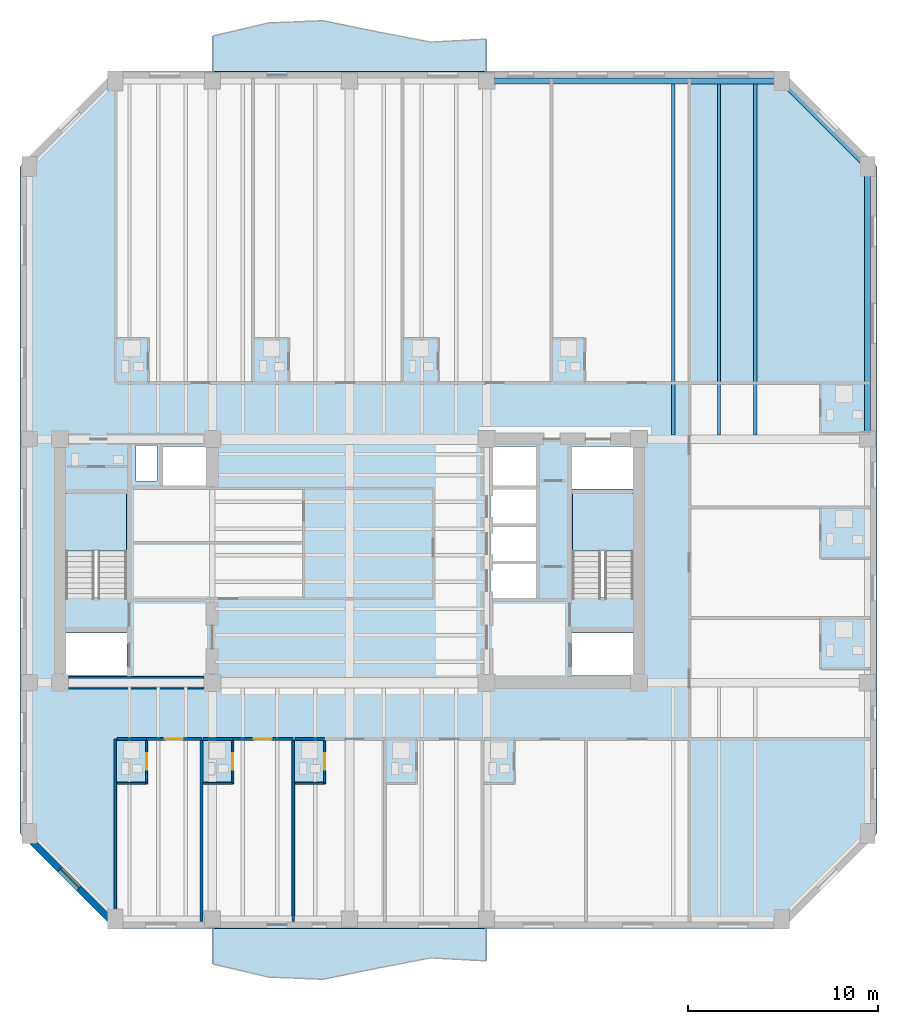
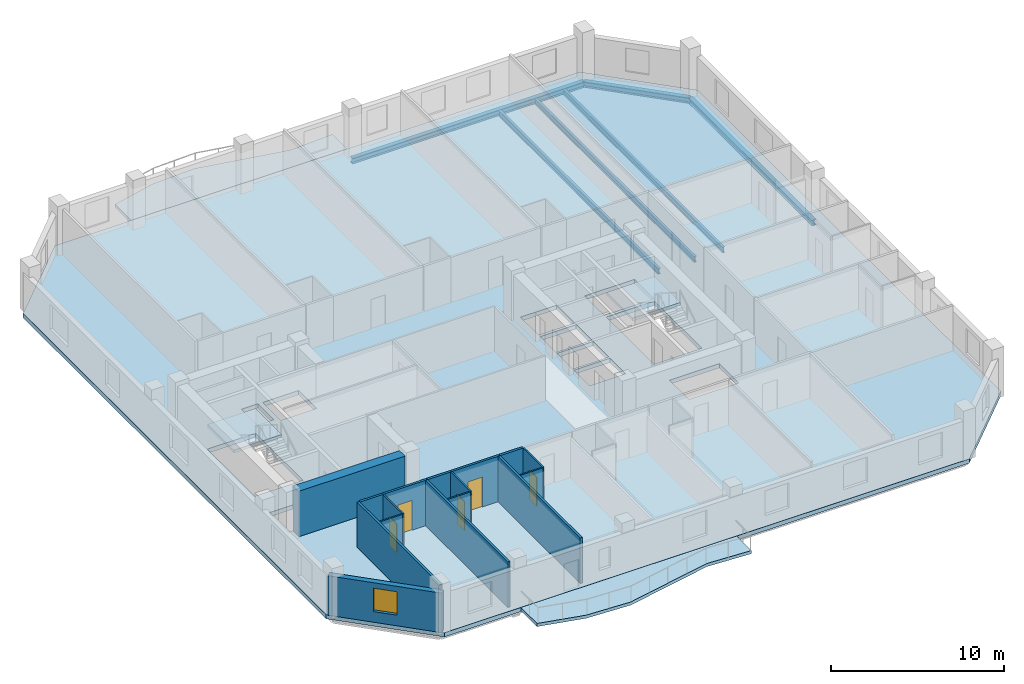
# One storey, part 2 of 11: 16 walls, 6 beams, 5 doors, 5 slabs, 1 window, 6 openings, 2 elements without a shape of their own.
"""IFC4 building model written with IfcOpenShell, lengths in metres."""

from ifc_helpers import new_model, si_unit, direction, frame, frame_2d, origin, origin_2d, place, context, subcontext, project, spatial, polyline, rectangle, i_section, outline, extrude, material, layer, layer_set, material_profile, profile_set, type_object, element, fill, aggregate, save


model = new_model("IFC4")

# Units and contexts
model_context = context("Model", 3, precision=1e-05, world=origin(), true_north=direction((0.0, 1.0)))
body_context = subcontext(model_context, "Body", "Model", "MODEL_VIEW")
ifc_project = project(units=[si_unit("LENGTHUNIT", "METRE"), si_unit("AREAUNIT", "SQUARE_METRE"), si_unit("VOLUMEUNIT", "CUBIC_METRE"), si_unit("PLANEANGLEUNIT", "RADIAN"), si_unit("MASSUNIT", "GRAM", prefix="KILO")], contexts=[model_context])

# Site, building, storey
site_placement = place(None, origin())
site = spatial("IfcSite", under=ifc_project, at=site_placement, CompositionType="ELEMENT")
building_placement = place(site_placement, origin())
building = spatial("IfcBuilding", under=site, at=building_placement, Name="Kranthara Brick Stack", CompositionType="ELEMENT")
storey_placement = place(building_placement, frame((0.0, 0.0, 172.800048828125)))
storey = spatial("IfcBuildingStorey", under=building, at=storey_placement, Name="L44", CompositionType="ELEMENT", Elevation=172.800048828125)

# Beams
ifc_material_1 = material(Name="Steel S355", Category="steel")
ifc_material_profile_1 = material_profile(ifc_material_1, i_section(OverallWidth=0.179931640625, OverallDepth=0.39990234375, WebThickness=0.008544921875, FlangeThickness=0.013427734375, at=origin_2d()), Name="IPE 400")
ifc_profile_set_1 = profile_set([ifc_material_profile_1], Name="Steel S355")
beam_type_1 = type_object("IfcBeamType", Name="BM-JST-IPE400", PredefinedType="JOIST", material=ifc_profile_set_1)
for number, where, z_axis, x_axis, name in (
    (1, (45.0, 33.824951171875, -0.5), (0.0, 1.0, 0.0), (-1.0, 0.0, 0.0), "L44 North Wing Floor Joist 071"),
    (2, (47.39990234375, 33.824951171875, -0.5), (0.0, 1.0, 0.0), (-1.0, 0.0, 0.0), "L44 North Wing Floor Joist 073"),
    (3, (49.300048828125, 33.824951171875, -0.5), (0.0, 1.0, 0.0), (-1.0, 0.0, 0.0), "L44 North Wing Floor Joist 075"),
):
    element("IfcBeam", number, at=place(storey_placement, frame(where, z_axis=z_axis, x_axis=x_axis)), inside=storey, type_object=beam_type_1, Name=name, PredefinedType="JOIST", context=body_context, shape_type="SweptSolid", body=[
        extrude(i_section(OverallWidth=0.179931640625, OverallDepth=0.39990234375, WebThickness=0.008544921875, FlangeThickness=0.013427734375, at=origin_2d()), origin(), (0.0, 0.0, 1.0), 18.425048828125),
    ])
ifc_material_2 = material(Name="Steel S355", Category="steel")
ifc_material_profile_2 = material_profile(ifc_material_2, i_section(OverallWidth=0.300048828125, OverallDepth=0.39990234375, WebThickness=0.013427734375, FlangeThickness=0.02392578125, at=origin_2d()), Name="HEB 400")
ifc_profile_set_2 = profile_set([ifc_material_profile_2], Name="Steel S355")
beam_type_2 = type_object("IfcBeamType", Name="BM-STL-HEB400", PredefinedType="SPANDREL", material=ifc_profile_set_2)
beam_1_placement = place(storey_placement, frame((35.199951171875, 52.39990234375, -0.5), z_axis=(1.0, 0.0, 0.0), x_axis=(0.0, 1.0, 0.0)))
element("IfcBeam", 4, at=beam_1_placement, inside=storey, type_object=beam_type_2, Name="L44 Perimeter Spandrel Beam 012", PredefinedType="SPANDREL", context=body_context, shape_type="SweptSolid", body=[
    extrude(i_section(OverallWidth=0.300048828125, OverallDepth=0.39990234375, WebThickness=0.013427734375, FlangeThickness=0.02392578125, at=origin_2d()), origin(), (0.0, 0.0, 1.0), 15.5),
])
beam_2_placement = place(storey_placement, frame((55.199951171875, 33.60009765625, -0.5), z_axis=(0.0, 1.0, 0.0), x_axis=(-1.0, 0.0, 0.0)))
element("IfcBeam", 5, at=beam_2_placement, inside=storey, type_object=beam_type_2, Name="L44 Perimeter Spandrel Beam 018", PredefinedType="SPANDREL", context=body_context, shape_type="SweptSolid", body=[
    extrude(i_section(OverallWidth=0.300048828125, OverallDepth=0.39990234375, WebThickness=0.013427734375, FlangeThickness=0.02392578125, at=origin_2d()), origin(), (0.0, 0.0, 1.0), 14.2998046875),
])
beam_3_placement = place(storey_placement, frame((50.699951171875, 52.39990234375, -0.5), z_axis=(0.707106781187, -0.707106781187, 0.0), x_axis=(0.707106781187, 0.707106781187, 0.0)))
element("IfcBeam", 6, at=beam_3_placement, inside=storey, type_object=beam_type_2, Name="L44 Chamfer Corner Spandrel 022", PredefinedType="SPANDREL", context=body_context, shape_type="SweptSolid", body=[
    extrude(i_section(OverallWidth=0.300048828125, OverallDepth=0.39990234375, WebThickness=0.013427734375, FlangeThickness=0.02392578125, at=origin_2d()), origin(), (0.0, 0.0, 1.0), 6.364013671875),
])

# Slabs
ifc_material_3 = material(Name="Concrete C45/55", Category="concrete")
ifc_layer_1 = layer(ifc_material_3, 0.219970703125)
ifc_layer_set_1 = layer_set([ifc_layer_1], Name="Concrete C45/55")
slab_type_1 = type_object("IfcSlabType", Name="SLB-BALC-220", PredefinedType="FLOOR", material=ifc_layer_set_1)
slab_1_placement = place(storey_placement, frame((0.0, 0.0, -0.219970703125)))
element("IfcSlab", 7, at=slab_1_placement, inside=storey, type_object=slab_type_1, Name="L44 South Rippling Balcony Slab", PredefinedType="FLOOR", context=body_context, shape_type="SweptSolid", body=[
    extrude(outline(polyline([(20.800048828125, 7.89990234375), (35.199951171875, 7.89990234375), (35.199951171875, 6.200927734375), (32.320068359375, 6.35791015625), (29.43994140625, 5.781982421875), (26.56005859375, 5.197265625), (23.679931640625, 5.339111328125), (20.800048828125, 6.029296875), (20.800048828125, 7.89990234375)])), origin(), (0.0, 0.0, 1.0), 0.219970703125),
])
slab_2_placement = place(storey_placement, frame((0.0, 0.0, -0.219970703125)))
element("IfcSlab", 8, at=slab_2_placement, inside=storey, type_object=slab_type_1, Name="L44 North Rippling Balcony Slab", PredefinedType="FLOOR", context=body_context, shape_type="SweptSolid", body=[
    extrude(outline(polyline([(35.199951171875, 52.89990234375), (20.800048828125, 52.89990234375), (20.800048828125, 54.770751953125), (23.679931640625, 55.460693359375), (26.56005859375, 55.602783203125), (29.43994140625, 55.01806640625), (32.320068359375, 54.442138671875), (35.199951171875, 54.59912109375), (35.199951171875, 52.89990234375)])), origin(), (0.0, 0.0, 1.0), 0.219970703125),
])

# Stair, slab
ifc_material_4 = material(Name="Concrete C45/55", Category="concrete")
stair_type = type_object("IfcStairType", Name="ST-CORE-20R", PredefinedType="HALF_TURN_STAIR", material=ifc_material_4)
stair_1_placement = place(storey_placement, origin())
stair_1 = element("IfcStair", 9, at=stair_1_placement, inside=storey, type_object=stair_type, Name="L44 West Core Protected Exit Stair ST01", PredefinedType="HALF_TURN_STAIR")
ifc_material_5 = material(Name="Concrete C45/55", Category="concrete")
ifc_layer_2 = layer(ifc_material_5, 0.199951171875)
ifc_layer_set_2 = layer_set([ifc_layer_2], Name="Concrete C45/55")
slab_type_2 = type_object("IfcSlabType", Name="SLB-LANDING-200", PredefinedType="LANDING", material=ifc_layer_set_2)
slab_3_placement = place(storey_placement, frame((0.0, 0.0, 1.550048828125)))
slab_3 = element("IfcSlab", 10, at=slab_3_placement, type_object=slab_type_2, Name="ST01 landing 1", PredefinedType="LANDING", context=body_context, shape_type="SweptSolid", body=[
    extrude(outline(polyline([(16.300048828125, 27.719970703125), (16.300048828125, 30.75), (13.10009765625, 30.75), (13.10009765625, 27.719970703125), (16.300048828125, 27.719970703125)])), origin(), (0.0, 0.0, 1.0), 0.199951171875),
])
aggregate(stair_1, [slab_3])

stair_2_placement = place(storey_placement, origin())
stair_2 = element("IfcStair", 11, at=stair_2_placement, inside=storey, type_object=stair_type, Name="L44 East Core Protected Exit Stair ST02", PredefinedType="HALF_TURN_STAIR")
slab_4_placement = place(storey_placement, frame((0.0, 0.0, 1.550048828125)))
slab_4 = element("IfcSlab", 12, at=slab_4_placement, type_object=slab_type_2, Name="ST02 landing 1", PredefinedType="LANDING", context=body_context, shape_type="SweptSolid", body=[
    extrude(outline(polyline([(42.89990234375, 27.719970703125), (42.89990234375, 30.75), (39.699951171875, 30.75), (39.699951171875, 27.719970703125), (42.89990234375, 27.719970703125)])), origin(), (0.0, 0.0, 1.0), 0.199951171875),
])
aggregate(stair_2, [slab_4])

# Slab
ifc_material_6 = material(Name="Post-tensioned concrete C45/55", Category="concrete")
ifc_layer_3 = layer(ifc_material_6, 0.300048828125)
ifc_layer_set_3 = layer_set([ifc_layer_3], Name="Post-tensioned concrete C45/55")
slab_type_3 = type_object("IfcSlabType", Name="SLB-TWR-300", PredefinedType="FLOOR", material=ifc_layer_set_3)
slab_5_placement = place(storey_placement, frame((0.0, 0.0, -0.300048828125)))
element("IfcSlab", 13, at=slab_5_placement, inside=storey, type_object=slab_type_3, Name="L44 Structural Floor Plate", PredefinedType="FLOOR", context=body_context, shape_type="SweptSolid", body=[
    extrude(outline(polyline([(15.699951171875, 7.89990234375), (50.699951171875, 7.89990234375), (55.699951171875, 12.89990234375), (55.699951171875, 47.89990234375), (50.699951171875, 52.89990234375), (15.699951171875, 52.89990234375), (10.699951171875, 47.89990234375), (10.699951171875, 12.89990234375), (15.699951171875, 7.89990234375)]), holes=[polyline([(13.10009765625, 25.280029296875), (16.300048828125, 25.280029296875), (16.300048828125, 30.75), (13.10009765625, 30.75), (13.10009765625, 25.280029296875)]), polyline([(39.699951171875, 25.280029296875), (42.89990234375, 25.280029296875), (42.89990234375, 30.75), (39.699951171875, 30.75), (39.699951171875, 25.280029296875)]), polyline([(13.0, 21.179931640625), (16.320068359375, 21.179931640625), (16.320068359375, 23.419921875), (13.0, 23.419921875), (13.0, 21.179931640625)]), polyline([(39.679931640625, 21.179931640625), (43.0, 21.179931640625), (43.0, 23.419921875), (39.679931640625, 23.419921875), (39.679931640625, 21.179931640625)]), polyline([(39.679931640625, 30.97998046875), (43.0, 30.97998046875), (43.0, 33.219970703125), (39.679931640625, 33.219970703125), (39.679931640625, 30.97998046875)]), polyline([(35.39990234375, 25.25), (37.800048828125, 25.25), (37.800048828125, 27.050048828125), (35.39990234375, 27.050048828125), (35.39990234375, 25.25)]), polyline([(35.39990234375, 27.199951171875), (37.800048828125, 27.199951171875), (37.800048828125, 29.0), (35.39990234375, 29.0), (35.39990234375, 27.199951171875)]), polyline([(35.39990234375, 29.14990234375), (37.800048828125, 29.14990234375), (37.800048828125, 30.949951171875), (35.39990234375, 30.949951171875), (35.39990234375, 29.14990234375)]), polyline([(18.199951171875, 31.14990234375), (20.60009765625, 31.14990234375), (20.60009765625, 33.219970703125), (18.199951171875, 33.219970703125), (18.199951171875, 31.14990234375)]), polyline([(35.39990234375, 31.14990234375), (37.800048828125, 31.14990234375), (37.800048828125, 33.219970703125), (35.39990234375, 33.219970703125), (35.39990234375, 31.14990234375)]), polyline([(16.800048828125, 31.39990234375), (17.89990234375, 31.39990234375), (17.89990234375, 33.25), (16.800048828125, 33.25), (16.800048828125, 31.39990234375)])]), origin(), (0.0, 0.0, 1.0), 0.300048828125),
])

# Wall, opening, window
ifc_material_7 = material(Name="Kiln-fired clay brick masonry M15", Category="masonry")
ifc_layer_4 = layer(ifc_material_7, 0.35009765625)
ifc_layer_set_4 = layer_set([ifc_layer_4], Name="Kiln-fired clay brick masonry M15")
wall_type_1 = type_object("IfcWallType", Name="WL-BRK-SPND-350", PredefinedType="STANDARD", material=ifc_layer_set_4)
wall_1_placement = place(storey_placement, frame((15.699951171875, 8.094970703125, 0.0), z_axis=(0.0, 0.0, 1.0), x_axis=(-0.707106781187, 0.707106781187, 0.0)))
wall_1 = element("IfcWall", 14, at=wall_1_placement, inside=storey, type_object=wall_type_1, Name="L44 Exterior Brick Facade Wall SW 1", PredefinedType="STANDARD", context=body_context, shape_type="SweptSolid", body=[
    extrude(rectangle(XDim=6.795166015625, YDim=0.35009765625, at=frame_2d((3.3974609375, 0.0))), origin(), (0.0, 0.0, 1.0), 2.784912109375),
])
opening_1_placement = place(wall_1_placement, frame((2.697998046875, 0.0, 0.75)))
opening_1 = element("IfcOpeningElement", 15, at=opening_1_placement, cuts=wall_1, Name="Opening WN10", PredefinedType="OPENING", context=body_context, shape_type="SweptSolid", body=[
    extrude(rectangle(XDim=1.39990234375, YDim=1.64990234375, at=frame_2d((0.699951171875, 0.824951171875))), frame((0.0, 0.18505859375, 0.0), z_axis=(0.0, -1.0, 0.0), x_axis=(1.0, 0.0, 0.0)), (0.0, 0.0, 1.0), 0.3701171875),
])
ifc_material_8 = material(Name="Double-glazed low-E solar control glass", Category="glass")
window_type = type_object("IfcWindowType", Name="WN-CHM-1400x1750", PartitioningType="SINGLE_PANEL", PredefinedType="WINDOW", material=ifc_material_8)
window_placement = place(opening_1_placement, origin())
window = element("IfcWindow", 16, at=window_placement, inside=storey, type_object=window_type, Name="L44 SW Chamfer Corner Window", OverallHeight=1.64990234375, OverallWidth=1.39990234375, PartitioningType="SINGLE_PANEL", PredefinedType="WINDOW", context=body_context, shape_type="SweptSolid", body=[
    extrude(rectangle(XDim=1.39990234375, YDim=1.64990234375, at=frame_2d((0.699951171875, 0.824951171875))), frame((0.0, -0.010009765625, 0.0), z_axis=(0.0, -1.0, 0.0), x_axis=(1.0, 0.0, 0.0)), (0.0, 0.0, 1.0), 0.06005859375),
])
fill(opening_1, window)

# Wall
ifc_material_9 = material(Name="Concrete C60/75", Category="concrete")
ifc_layer_5 = layer(ifc_material_9, 0.64990234375)
ifc_layer_set_5 = layer_set([ifc_layer_5], Name="Concrete C60/75")
wall_type_2 = type_object("IfcWallType", Name="WL-CORE-650", PredefinedType="SHEAR", material=ifc_layer_set_5)
wall_2_placement = place(storey_placement, frame((13.2548828125, 20.800048828125, 0.0), z_axis=(0.0, 0.0, 1.0), x_axis=(1.0, 0.0, 0.0)))
element("IfcWall", 17, at=wall_2_placement, inside=storey, type_object=wall_type_2, Name="L44 West Core Shear Wall South", PredefinedType="SHEAR", context=body_context, shape_type="SweptSolid", body=[
    extrude(rectangle(XDim=7.090087890625, YDim=0.64990234375, at=frame_2d((3.544921875, 0.0))), origin(), (0.0, 0.0, 1.0), 3.199951171875),
])

# Wall, opening, door
ifc_material_10 = material(Name="Moisture-resistant wet-room partition", Category="other")
ifc_layer_6 = layer(ifc_material_10, 0.10009765625)
ifc_layer_set_6 = layer_set([ifc_layer_6], Name="Moisture-resistant wet-room partition")
wall_type_3 = type_object("IfcWallType", Name="WL-PART-100", PredefinedType="PARTITIONING", material=ifc_layer_set_6)
wall_3_placement = place(storey_placement, frame((17.35009765625, 15.52001953125, 0.0), z_axis=(0.0, 0.0, 1.0), x_axis=(0.0, 1.0, 0.0)))
wall_3 = element("IfcWall", 18, at=wall_3_placement, inside=storey, type_object=wall_type_3, Name="L44 Interior Partition 012", PredefinedType="PARTITIONING", context=body_context, shape_type="SweptSolid", body=[
    extrude(rectangle(XDim=2.25, YDim=0.10009765625, at=frame_2d((1.125, 0.0))), origin(), (0.0, 0.0, 1.0), 3.199951171875),
])
opening_2_placement = place(wall_3_placement, frame((0.719970703125, 0.0, 0.0)))
opening_2 = element("IfcOpeningElement", 19, at=opening_2_placement, cuts=wall_3, Name="Opening D17", PredefinedType="OPENING", context=body_context, shape_type="SweptSolid", body=[
    extrude(rectangle(XDim=0.85009765625, YDim=2.050048828125, at=frame_2d((0.425048828125, 1.02490234375))), frame((0.0, 0.06005859375, 0.0), z_axis=(0.0, -1.0, 0.0), x_axis=(1.0, 0.0, 0.0)), (0.0, 0.0, 1.0), 0.1201171875),
])
ifc_material_11 = material(Name="Solid-core hardwood timber leaf in steel frame", Category="steel")
door_type_1 = type_object("IfcDoorType", Name="DR-WET-850", OperationType="NOTDEFINED", PredefinedType="DOOR", material=ifc_material_11)
door_1_placement = place(opening_2_placement, origin())
door_1 = element("IfcDoor", 20, at=door_1_placement, inside=storey, type_object=door_type_1, Name="L44 Key 01 En-Suite Door 07", OperationType="SINGLE_SWING_LEFT", OverallHeight=2.050048828125, OverallWidth=0.85009765625, PredefinedType="DOOR", context=body_context, shape_type="SweptSolid", body=[
    extrude(rectangle(XDim=0.85009765625, YDim=2.050048828125, at=frame_2d((0.425048828125, 1.02490234375))), frame((0.0, 0.02490234375, 0.0), z_axis=(0.0, -1.0, 0.0), x_axis=(1.0, 0.0, 0.0)), (0.0, 0.0, 1.0), 0.050048828125),
])
fill(opening_2, door_1)

# Wall
wall_4_placement = place(storey_placement, frame((15.780029296875, 15.52001953125, 0.0), z_axis=(0.0, 0.0, 1.0), x_axis=(1.0, 0.0, 0.0)))
element("IfcWall", 21, at=wall_4_placement, inside=storey, type_object=wall_type_3, Name="L44 Interior Partition 013", PredefinedType="PARTITIONING", context=body_context, shape_type="SweptSolid", body=[
    extrude(rectangle(XDim=1.514892578125, YDim=0.10009765625, at=frame_2d((0.75732421875, 0.0))), origin(), (0.0, 0.0, 1.0), 3.199951171875),
])

# Wall, opening, door
wall_5_placement = place(storey_placement, frame((21.873046875, 15.52001953125, 0.0), z_axis=(0.0, 0.0, 1.0), x_axis=(0.0, 1.0, 0.0)))
wall_5 = element("IfcWall", 22, at=wall_5_placement, inside=storey, type_object=wall_type_3, Name="L44 Interior Partition 017", PredefinedType="PARTITIONING", context=body_context, shape_type="SweptSolid", body=[
    extrude(rectangle(XDim=2.25, YDim=0.10009765625, at=frame_2d((1.125, 0.0))), origin(), (0.0, 0.0, 1.0), 3.199951171875),
])
opening_3_placement = place(wall_5_placement, frame((0.719970703125, 0.0, 0.0)))
opening_3 = element("IfcOpeningElement", 23, at=opening_3_placement, cuts=wall_5, Name="Opening D17", PredefinedType="OPENING", context=body_context, shape_type="SweptSolid", body=[
    extrude(rectangle(XDim=0.85009765625, YDim=2.050048828125, at=frame_2d((0.425048828125, 1.02490234375))), frame((0.0, 0.06005859375, 0.0), z_axis=(0.0, -1.0, 0.0), x_axis=(1.0, 0.0, 0.0)), (0.0, 0.0, 1.0), 0.1201171875),
])
door_2_placement = place(opening_3_placement, origin())
door_2 = element("IfcDoor", 24, at=door_2_placement, inside=storey, type_object=door_type_1, Name="L44 Key 02 En-Suite Door 09", OperationType="SINGLE_SWING_LEFT", OverallHeight=2.050048828125, OverallWidth=0.85009765625, PredefinedType="DOOR", context=body_context, shape_type="SweptSolid", body=[
    extrude(rectangle(XDim=0.85009765625, YDim=2.050048828125, at=frame_2d((0.425048828125, 1.02490234375))), frame((0.0, 0.02490234375, 0.0), z_axis=(0.0, -1.0, 0.0), x_axis=(1.0, 0.0, 0.0)), (0.0, 0.0, 1.0), 0.050048828125),
])
fill(opening_3, door_2)

# Wall
wall_6_placement = place(storey_placement, frame((20.302978515625, 15.52001953125, 0.0), z_axis=(0.0, 0.0, 1.0), x_axis=(1.0, 0.0, 0.0)))
element("IfcWall", 25, at=wall_6_placement, inside=storey, type_object=wall_type_3, Name="L44 Interior Partition 018", PredefinedType="PARTITIONING", context=body_context, shape_type="SweptSolid", body=[
    extrude(rectangle(XDim=1.51513671875, YDim=0.10009765625, at=frame_2d((0.757568359375, 0.0))), origin(), (0.0, 0.0, 1.0), 3.199951171875),
])

# Wall, opening, door
wall_7_placement = place(storey_placement, frame((26.697021484375, 15.52001953125, 0.0), z_axis=(0.0, 0.0, 1.0), x_axis=(0.0, 1.0, 0.0)))
wall_7 = element("IfcWall", 26, at=wall_7_placement, inside=storey, type_object=wall_type_3, Name="L44 Interior Partition 022", PredefinedType="PARTITIONING", context=body_context, shape_type="SweptSolid", body=[
    extrude(rectangle(XDim=2.25, YDim=0.10009765625, at=frame_2d((1.125, 0.0))), origin(), (0.0, 0.0, 1.0), 3.199951171875),
])
opening_4_placement = place(wall_7_placement, frame((0.719970703125, 0.0, 0.0)))
opening_4 = element("IfcOpeningElement", 27, at=opening_4_placement, cuts=wall_7, Name="Opening D17", PredefinedType="OPENING", context=body_context, shape_type="SweptSolid", body=[
    extrude(rectangle(XDim=0.85009765625, YDim=2.050048828125, at=frame_2d((0.425048828125, 1.02490234375))), frame((0.0, 0.06005859375, 0.0), z_axis=(0.0, -1.0, 0.0), x_axis=(1.0, 0.0, 0.0)), (0.0, 0.0, 1.0), 0.1201171875),
])
door_3_placement = place(opening_4_placement, origin())
door_3 = element("IfcDoor", 28, at=door_3_placement, inside=storey, type_object=door_type_1, Name="L44 Key 03 En-Suite Door 11", OperationType="SINGLE_SWING_LEFT", OverallHeight=2.050048828125, OverallWidth=0.85009765625, PredefinedType="DOOR", context=body_context, shape_type="SweptSolid", body=[
    extrude(rectangle(XDim=0.85009765625, YDim=2.050048828125, at=frame_2d((0.425048828125, 1.02490234375))), frame((0.0, 0.02490234375, 0.0), z_axis=(0.0, -1.0, 0.0), x_axis=(1.0, 0.0, 0.0)), (0.0, 0.0, 1.0), 0.050048828125),
])
fill(opening_4, door_3)

# Walls
wall_8_placement = place(storey_placement, frame((25.126953125, 15.52001953125, 0.0), z_axis=(0.0, 0.0, 1.0), x_axis=(1.0, 0.0, 0.0)))
element("IfcWall", 29, at=wall_8_placement, inside=storey, type_object=wall_type_3, Name="L44 Interior Partition 023", PredefinedType="PARTITIONING", context=body_context, shape_type="SweptSolid", body=[
    extrude(rectangle(XDim=1.51513671875, YDim=0.10009765625, at=frame_2d((0.757568359375, 0.0))), origin(), (0.0, 0.0, 1.0), 3.199951171875),
])
ifc_material_12 = material(Name="Fire-rated gypsum board partition", Category="other")
ifc_layer_7 = layer(ifc_material_12, 0.14990234375)
ifc_layer_set_7 = layer_set([ifc_layer_7], Name="Fire-rated gypsum board partition")
wall_type_4 = type_object("IfcWallType", Name="WL-PART-150", PredefinedType="PARTITIONING", material=ifc_layer_set_7)
wall_9_placement = place(storey_placement, frame((15.699951171875, 8.27490234375, 0.0), z_axis=(0.0, 0.0, 1.0), x_axis=(0.0, 1.0, 0.0)))
element("IfcWall", 30, at=wall_9_placement, inside=storey, type_object=wall_type_4, Name="L44 Interior Partition 009", PredefinedType="PARTITIONING", context=body_context, shape_type="SweptSolid", body=[
    extrude(rectangle(XDim=9.5751953125, YDim=0.14990234375, at=frame_2d((4.78759765625, 0.0))), origin(), (0.0, 0.0, 1.0), 3.199951171875),
])
wall_10_placement = place(storey_placement, frame((15.780029296875, 17.85009765625, 0.0), z_axis=(0.0, 0.0, 1.0), x_axis=(1.0, 0.0, 0.0)))
element("IfcWall", 31, at=wall_10_placement, inside=storey, type_object=wall_type_4, Name="L44 Interior Partition 010", PredefinedType="PARTITIONING", context=body_context, shape_type="SweptSolid", body=[
    extrude(rectangle(XDim=1.570068359375, YDim=0.14990234375, at=frame_2d((0.78515625, 0.0))), origin(), (0.0, 0.0, 1.0), 3.199951171875),
])

# Wall, opening, door
wall_11_placement = place(storey_placement, frame((17.35009765625, 17.85009765625, 0.0), z_axis=(0.0, 0.0, 1.0), x_axis=(1.0, 0.0, 0.0)))
wall_11 = element("IfcWall", 32, at=wall_11_placement, inside=storey, type_object=wall_type_4, Name="L44 Interior Partition 011", PredefinedType="PARTITIONING", context=body_context, shape_type="SweptSolid", body=[
    extrude(rectangle(XDim=2.872802734375, YDim=0.14990234375, at=frame_2d((1.4365234375, 0.0))), origin(), (0.0, 0.0, 1.0), 3.199951171875),
])
opening_5_placement = place(wall_11_placement, frame((0.95703125, 0.0, 0.0)))
opening_5 = element("IfcOpeningElement", 33, at=opening_5_placement, cuts=wall_11, Name="Opening D09", PredefinedType="OPENING", context=body_context, shape_type="SweptSolid", body=[
    extrude(rectangle(XDim=0.949951171875, YDim=2.10009765625, at=frame_2d((0.47509765625, 1.050048828125))), frame((0.0, 0.0849609375, 0.0), z_axis=(0.0, -1.0, 0.0), x_axis=(1.0, 0.0, 0.0)), (0.0, 0.0, 1.0), 0.169921875),
])
ifc_material_13 = material(Name="Solid-core hardwood timber leaf in steel frame", Category="steel")
door_type_2 = type_object("IfcDoorType", Name="DR-FD-950", OperationType="NOTDEFINED", PredefinedType="DOOR", material=ifc_material_13)
door_4_placement = place(opening_5_placement, origin())
door_4 = element("IfcDoor", 34, at=door_4_placement, inside=storey, type_object=door_type_2, Name="L44 Key 01 Entry 08", OperationType="SINGLE_SWING_RIGHT", OverallHeight=2.10009765625, OverallWidth=0.949951171875, PredefinedType="DOOR", context=body_context, shape_type="SweptSolid", body=[
    extrude(rectangle(XDim=0.949951171875, YDim=2.10009765625, at=frame_2d((0.47509765625, 1.050048828125))), frame((0.0, 0.02490234375, 0.0), z_axis=(0.0, -1.0, 0.0), x_axis=(1.0, 0.0, 0.0)), (0.0, 0.0, 1.0), 0.050048828125),
])
fill(opening_5, door_4)

# Walls
wall_12_placement = place(storey_placement, frame((20.222900390625, 8.27490234375, 0.0), z_axis=(0.0, 0.0, 1.0), x_axis=(0.0, 1.0, 0.0)))
element("IfcWall", 35, at=wall_12_placement, inside=storey, type_object=wall_type_4, Name="L44 Interior Partition 014", PredefinedType="PARTITIONING", context=body_context, shape_type="SweptSolid", body=[
    extrude(rectangle(XDim=9.4951171875, YDim=0.14990234375, at=frame_2d((4.74755859375, 0.0))), origin(), (0.0, 0.0, 1.0), 3.199951171875),
])
wall_13_placement = place(storey_placement, frame((20.302978515625, 17.85009765625, 0.0), z_axis=(0.0, 0.0, 1.0), x_axis=(1.0, 0.0, 0.0)))
element("IfcWall", 36, at=wall_13_placement, inside=storey, type_object=wall_type_4, Name="L44 Interior Partition 015", PredefinedType="PARTITIONING", context=body_context, shape_type="SweptSolid", body=[
    extrude(rectangle(XDim=1.570068359375, YDim=0.14990234375, at=frame_2d((0.78515625, 0.0))), origin(), (0.0, 0.0, 1.0), 3.199951171875),
])

# Wall, opening, door
wall_14_placement = place(storey_placement, frame((21.873046875, 17.85009765625, 0.0), z_axis=(0.0, 0.0, 1.0), x_axis=(1.0, 0.0, 0.0)))
wall_14 = element("IfcWall", 37, at=wall_14_placement, inside=storey, type_object=wall_type_4, Name="L44 Interior Partition 016", PredefinedType="PARTITIONING", context=body_context, shape_type="SweptSolid", body=[
    extrude(rectangle(XDim=3.174072265625, YDim=0.14990234375, at=frame_2d((1.5869140625, 0.0))), origin(), (0.0, 0.0, 1.0), 3.199951171875),
])
opening_6_placement = place(wall_14_placement, frame((1.10693359375, 0.0, 0.0)))
opening_6 = element("IfcOpeningElement", 38, at=opening_6_placement, cuts=wall_14, Name="Opening D09", PredefinedType="OPENING", context=body_context, shape_type="SweptSolid", body=[
    extrude(rectangle(XDim=0.949951171875, YDim=2.10009765625, at=frame_2d((0.47509765625, 1.050048828125))), frame((0.0, 0.0849609375, 0.0), z_axis=(0.0, -1.0, 0.0), x_axis=(1.0, 0.0, 0.0)), (0.0, 0.0, 1.0), 0.169921875),
])
door_5_placement = place(opening_6_placement, origin())
door_5 = element("IfcDoor", 39, at=door_5_placement, inside=storey, type_object=door_type_2, Name="L44 Key 02 Entry 10", OperationType="SINGLE_SWING_RIGHT", OverallHeight=2.10009765625, OverallWidth=0.949951171875, PredefinedType="DOOR", context=body_context, shape_type="SweptSolid", body=[
    extrude(rectangle(XDim=0.949951171875, YDim=2.10009765625, at=frame_2d((0.47509765625, 1.050048828125))), frame((0.0, 0.02490234375, 0.0), z_axis=(0.0, -1.0, 0.0), x_axis=(1.0, 0.0, 0.0)), (0.0, 0.0, 1.0), 0.050048828125),
])
fill(opening_6, door_5)

# Walls
wall_15_placement = place(storey_placement, frame((25.047119140625, 8.27490234375, 0.0), z_axis=(0.0, 0.0, 1.0), x_axis=(0.0, 1.0, 0.0)))
element("IfcWall", 40, at=wall_15_placement, inside=storey, type_object=wall_type_4, Name="L44 Interior Partition 019", PredefinedType="PARTITIONING", context=body_context, shape_type="SweptSolid", body=[
    extrude(rectangle(XDim=9.4951171875, YDim=0.14990234375, at=frame_2d((4.74755859375, 0.0))), origin(), (0.0, 0.0, 1.0), 3.199951171875),
])
wall_16_placement = place(storey_placement, frame((25.126953125, 17.85009765625, 0.0), z_axis=(0.0, 0.0, 1.0), x_axis=(1.0, 0.0, 0.0)))
element("IfcWall", 41, at=wall_16_placement, inside=storey, type_object=wall_type_4, Name="L44 Interior Partition 020", PredefinedType="PARTITIONING", context=body_context, shape_type="SweptSolid", body=[
    extrude(rectangle(XDim=1.570068359375, YDim=0.14990234375, at=frame_2d((0.78515625, 0.0))), origin(), (0.0, 0.0, 1.0), 3.199951171875),
])

save(model, "model.ifc")
